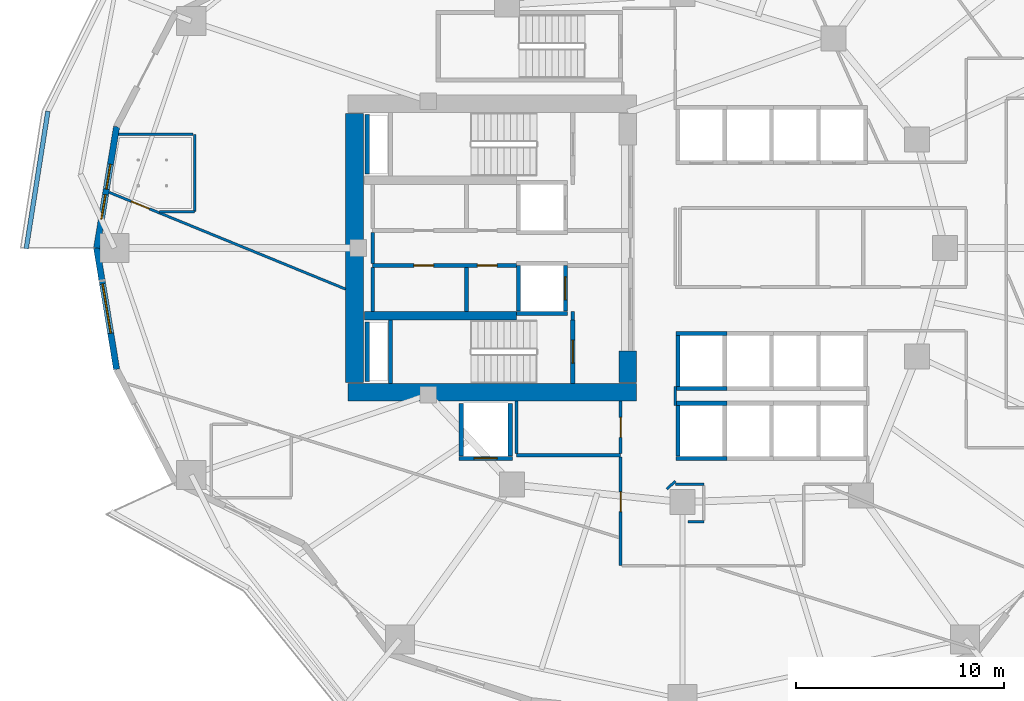
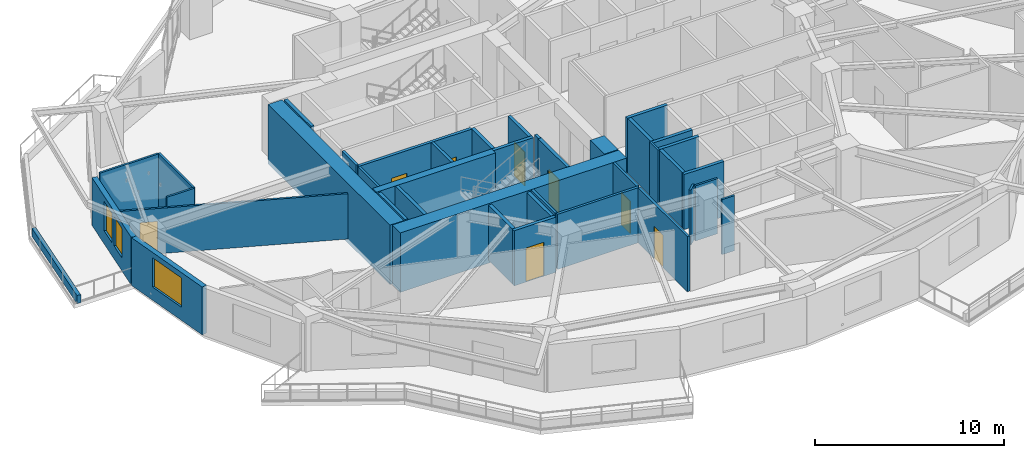
# One storey, part 5 of 18: 40 walls, 8 doors, 3 windows, 11 openings.
"""IFC4 building model written with IfcOpenShell, lengths in metres."""

from ifc_helpers import new_model, si_unit, direction, frame, frame_2d, origin, place, context, subcontext, project, spatial, rectangle, extrude, material, layer, layer_set, type_object, element, fill, save


model = new_model("IFC4")

# Units and contexts
model_context = context("Model", 3, precision=1e-05, world=origin(), true_north=direction((0.0, 1.0)))
body_context = subcontext(model_context, "Body", "Model", "MODEL_VIEW")
ifc_project = project(units=[si_unit("LENGTHUNIT", "METRE"), si_unit("AREAUNIT", "SQUARE_METRE"), si_unit("VOLUMEUNIT", "CUBIC_METRE"), si_unit("PLANEANGLEUNIT", "RADIAN"), si_unit("MASSUNIT", "GRAM", prefix="KILO")], contexts=[model_context])

# Site, building, storey
site_placement = place(None, origin())
site = spatial("IfcSite", under=ifc_project, at=site_placement, CompositionType="ELEMENT")
building_placement = place(site_placement, origin())
building = spatial("IfcBuilding", under=site, at=building_placement, Name="Kolvaren Gate Tower and Convention Centre", CompositionType="ELEMENT")
storey_placement = place(building_placement, frame((0.0, 0.0, 30.35009765625)))
storey = spatial("IfcBuildingStorey", under=building, at=storey_placement, Name="L06", CompositionType="ELEMENT", Elevation=30.35009765625)

# Wall
ifc_material_1 = material(Name="Autoclaved Aerated Masonry Blockwork Class 4 (4.0 MPa)", Category="masonry")
ifc_layer_1 = layer(ifc_material_1, 0.179931640625)
ifc_layer_set_1 = layer_set([ifc_layer_1], Name="Autoclaved Aerated Masonry Blockwork Class 4 (4.0 MPa)")
wall_type_1 = type_object("IfcWallType", Name="ARCH-WL-COMP-180", PredefinedType="SOLIDWALL", material=ifc_layer_set_1)
wall_1_placement = place(storey_placement, frame((24.85009765625, 23.5400390625, 0.0), z_axis=(0.0, 0.0, 1.0), x_axis=(0.0, 1.0, 0.0)))
element("IfcWall", 1, at=wall_1_placement, inside=storey, type_object=wall_type_1, Name="Interior Partition WL-L06-INT-001", PredefinedType="SOLIDWALL", context=body_context, shape_type="SweptSolid", body=[
    extrude(rectangle(XDim=0.419921875, YDim=0.179931640625, at=frame_2d((0.2099609375, 0.0))), origin(), (0.0, 0.0, 1.0), 3.56982421875),
])

# Wall, openings, doors
wall_2_placement = place(storey_placement, frame((15.25, 26.159912109375, 0.0), z_axis=(0.0, 0.0, 1.0), x_axis=(1.0, 0.0, 0.0)))
wall_2 = element("IfcWall", 2, at=wall_2_placement, inside=storey, type_object=wall_type_1, Name="Interior Partition WL-L06-INT-005", PredefinedType="SOLIDWALL", context=body_context, shape_type="SweptSolid", body=[
    extrude(rectangle(XDim=6.89990234375, YDim=0.179931640625, at=frame_2d((3.449951171875, 0.0))), origin(), (0.0, 0.0, 1.0), 3.56982421875),
])
opening_1_placement = place(wall_2_placement, frame((5.02001953125, 0.0, 0.0)))
opening_1 = element("IfcOpeningElement", 3, at=opening_1_placement, cuts=wall_2, Name="Opening DR-01", PredefinedType="OPENING", context=body_context, shape_type="SweptSolid", body=[
    extrude(rectangle(XDim=0.949951171875, YDim=2.10009765625, at=frame_2d((0.47509765625, 1.050048828125))), frame((0.0, 0.099853515625, 0.0), z_axis=(0.0, -1.0, 0.0), x_axis=(1.0, 0.0, 0.0)), (0.0, 0.0, 1.0), 0.199951171875),
])
opening_2_placement = place(wall_2_placement, frame((1.97998046875, 0.0, 0.0)))
opening_2 = element("IfcOpeningElement", 4, at=opening_2_placement, cuts=wall_2, Name="Opening DR-01", PredefinedType="OPENING", context=body_context, shape_type="SweptSolid", body=[
    extrude(rectangle(XDim=0.949951171875, YDim=2.10009765625, at=frame_2d((0.47509765625, 1.050048828125))), frame((0.0, 0.099853515625, 0.0), z_axis=(0.0, -1.0, 0.0), x_axis=(1.0, 0.0, 0.0)), (0.0, 0.0, 1.0), 0.199951171875),
])
ifc_material_2 = material(Name="Painted Architectural Steelwork ASTM A500 Grade C 345 MPa", Category="steel")
door_type_1 = type_object("IfcDoorType", Name="ARCH-DR-RISER-950", OperationType="SINGLE_SWING_RIGHT", PredefinedType="DOOR", material=ifc_material_2)
door_1_placement = place(opening_1_placement, origin())
door_1 = element("IfcDoor", 5, at=door_1_placement, inside=storey, type_object=door_type_1, Name="Domestic Water Meter Closet Door", OperationType="SINGLE_SWING_LEFT", OverallHeight=2.10009765625, OverallWidth=0.949951171875, PredefinedType="DOOR", context=body_context, shape_type="SweptSolid", body=[
    extrude(rectangle(XDim=0.949951171875, YDim=2.10009765625, at=frame_2d((0.47509765625, 1.050048828125))), frame((0.0, 0.02490234375, 0.0), z_axis=(0.0, -1.0, 0.0), x_axis=(1.0, 0.0, 0.0)), (0.0, 0.0, 1.0), 0.050048828125),
])
fill(opening_1, door_1)
door_2_placement = place(opening_2_placement, origin())
door_2 = element("IfcDoor", 6, at=door_2_placement, inside=storey, type_object=door_type_1, Name="Janitor Equipment Store Door", OperationType="SINGLE_SWING_LEFT", OverallHeight=2.10009765625, OverallWidth=0.949951171875, PredefinedType="DOOR", context=body_context, shape_type="SweptSolid", body=[
    extrude(rectangle(XDim=0.949951171875, YDim=2.10009765625, at=frame_2d((0.47509765625, 1.050048828125))), frame((0.0, 0.02490234375, 0.0), z_axis=(0.0, -1.0, 0.0), x_axis=(1.0, 0.0, 0.0)), (0.0, 0.0, 1.0), 0.050048828125),
])
fill(opening_2, door_2)

# Walls
wall_3_placement = place(storey_placement, frame((19.75, 23.9619140625, 0.0), z_axis=(0.0, 0.0, 1.0), x_axis=(0.0, 1.0, 0.0)))
element("IfcWall", 7, at=wall_3_placement, inside=storey, type_object=wall_type_1, Name="Interior Partition WL-L06-INT-007", PredefinedType="SOLIDWALL", context=body_context, shape_type="SweptSolid", body=[
    extrude(rectangle(XDim=2.106201171875, YDim=0.179931640625, at=frame_2d((1.05322265625, 0.0))), origin(), (0.0, 0.0, 1.0), 3.56982421875),
])
ifc_material_3 = material(Name="Fire-Rated Acoustic Gypsum Stud Partition", Category="gypsum")
ifc_layer_2 = layer(ifc_material_3, 0.1201171875)
ifc_layer_set_2 = layer_set([ifc_layer_2], Name="Fire-Rated Acoustic Gypsum Stud Partition")
wall_type_2 = type_object("IfcWallType", Name="ARCH-WL-PART-120", PredefinedType="PARTITIONING", material=ifc_layer_set_2)
wall_4_placement = place(storey_placement, frame((29.780029296875, 15.64990234375, 0.0), z_axis=(0.0, 0.0, 1.0), x_axis=(1.0, 0.0, 0.0)))
element("IfcWall", 8, at=wall_4_placement, inside=storey, type_object=wall_type_2, Name="Interior Partition WL-L06-INT-017", PredefinedType="PARTITIONING", context=body_context, shape_type="SweptSolid", body=[
    extrude(rectangle(XDim=1.369873046875, YDim=0.1201171875, at=frame_2d((0.68505859375, 0.0))), origin(), (0.0, 0.0, 1.0), 3.56982421875),
])
wall_5_placement = place(storey_placement, frame((29.780029296875, 19.43994140625, 0.0), z_axis=(0.0, 0.0, 1.0), x_axis=(0.0, 1.0, 0.0)))
element("IfcWall", 9, at=wall_5_placement, inside=storey, type_object=wall_type_2, Name="Interior Partition WL-L06-INT-023", PredefinedType="PARTITIONING", context=body_context, shape_type="SweptSolid", body=[
    extrude(rectangle(XDim=0.920166015625, YDim=0.1201171875, at=frame_2d((0.4599609375, 0.0))), origin(), (0.0, 0.0, 1.0), 3.56982421875),
])
wall_6_placement = place(storey_placement, frame((29.366943359375, 15.422119140625, 0.0), z_axis=(0.0, 0.0, 1.0), x_axis=(0.730667420492, 0.682733564893, 0.0)))
element("IfcWall", 10, at=wall_6_placement, inside=storey, type_object=wall_type_2, Name="Interior Partition WL-L06-INT-039", PredefinedType="PARTITIONING", context=body_context, shape_type="SweptSolid", body=[
    extrude(rectangle(XDim=0.5654296875, YDim=0.1201171875, at=frame_2d((0.28271484375, 0.0))), origin(), (0.0, 0.0, 1.0), 3.56982421875),
])
wall_7_placement = place(storey_placement, frame((30.39111328125, 13.85009765625, 0.0), z_axis=(0.0, 0.0, 1.0), x_axis=(1.0, 0.0, 0.0)))
element("IfcWall", 11, at=wall_7_placement, inside=storey, type_object=wall_type_2, Name="Interior Partition WL-L06-INT-040", PredefinedType="PARTITIONING", context=body_context, shape_type="SweptSolid", body=[
    extrude(rectangle(XDim=0.7587890625, YDim=0.1201171875, at=frame_2d((0.37939453125, 0.0))), origin(), (0.0, 0.0, 1.0), 3.56982421875),
])

# Wall, opening, door
wall_8_placement = place(storey_placement, frame((2.593994140625, 29.674072265625, 0.0), z_axis=(0.0, 0.0, 1.0), x_axis=(0.925471493768, -0.378817257029, 0.0)))
wall_8 = element("IfcWall", 12, at=wall_8_placement, inside=storey, type_object=wall_type_2, Name="Interior Partition WL-L06-INT-042", PredefinedType="PARTITIONING", context=body_context, shape_type="SweptSolid", body=[
    extrude(rectangle(XDim=12.268310546875, YDim=0.1201171875, at=frame_2d((6.13427734375, 0.0))), origin(), (0.0, 0.0, 1.0), 2.933837890625),
])
opening_3_placement = place(wall_8_placement, frame((1.146484375, 0.0, 0.0)))
opening_3 = element("IfcOpeningElement", 13, at=opening_3_placement, cuts=wall_8, Name="Opening DI-01", PredefinedType="OPENING", context=body_context, shape_type="SweptSolid", body=[
    extrude(rectangle(XDim=0.949951171875, YDim=2.10009765625, at=frame_2d((0.47509765625, 1.050048828125))), frame((0.0, 0.070068359375, 0.0), z_axis=(0.0, -1.0, 0.0), x_axis=(1.0, 0.0, 0.0)), (0.0, 0.0, 1.0), 0.14013671875),
])
ifc_material_4 = material(Name="FSC Andean Oak Engineered Veneer Door Leaf", Category="wood")
door_type_2 = type_object("IfcDoorType", Name="ARCH-DR-INT-950", OperationType="SINGLE_SWING_LEFT", PredefinedType="DOOR", material=ifc_material_4)
door_3_placement = place(opening_3_placement, origin())
door_3 = element("IfcDoor", 14, at=door_3_placement, inside=storey, type_object=door_type_2, Name="Cellular Office Door", OperationType="SINGLE_SWING_LEFT", OverallHeight=2.10009765625, OverallWidth=0.949951171875, PredefinedType="DOOR", context=body_context, shape_type="SweptSolid", body=[
    extrude(rectangle(XDim=0.949951171875, YDim=2.10009765625, at=frame_2d((0.47509765625, 1.050048828125))), frame((0.0, 0.02490234375, 0.0), z_axis=(0.0, -1.0, 0.0), x_axis=(1.0, 0.0, 0.0)), (0.0, 0.0, 1.0), 0.050048828125),
])
fill(opening_3, door_3)

# Walls
wall_9_placement = place(storey_placement, frame((5.017578125, 28.7490234375, 0.0), z_axis=(0.0, 0.0, 1.0), x_axis=(0.999999830744, 0.000581818083, 0.0)))
element("IfcWall", 15, at=wall_9_placement, inside=storey, type_object=wall_type_2, Name="Interior Partition WL-L06-INT-064", PredefinedType="PARTITIONING", context=body_context, shape_type="SweptSolid", body=[
    extrude(rectangle(XDim=1.678466796875, YDim=0.1201171875, at=frame_2d((0.83935546875, 0.0))), origin(), (0.0, 0.0, 1.0), 3.56982421875),
])
wall_10_placement = place(storey_placement, frame((6.696044921875, 28.75, 0.0), z_axis=(0.0, 0.0, 1.0), x_axis=(0.0, 1.0, 0.0)))
element("IfcWall", 16, at=wall_10_placement, inside=storey, type_object=wall_type_2, Name="Interior Partition WL-L06-INT-065", PredefinedType="PARTITIONING", context=body_context, shape_type="SweptSolid", body=[
    extrude(rectangle(XDim=3.699951171875, YDim=0.1201171875, at=frame_2d((1.85009765625, 0.0))), origin(), (0.0, 0.0, 1.0), 3.56982421875),
])
wall_11_placement = place(storey_placement, frame((3.05078125, 32.449951171875, 0.0), z_axis=(0.0, 0.0, 1.0), x_axis=(1.0, 0.0, 0.0)))
element("IfcWall", 17, at=wall_11_placement, inside=storey, type_object=wall_type_2, Name="Interior Partition WL-L06-INT-066", PredefinedType="PARTITIONING", context=body_context, shape_type="SweptSolid", body=[
    extrude(rectangle(XDim=3.583251953125, YDim=0.1201171875, at=frame_2d((1.79150390625, 0.0))), origin(), (0.0, 0.0, 1.0), 3.56982421875),
])
ifc_material_5 = material(Name="Piedmont Cream Honed Limestone Cladding", Category="masonry")
ifc_layer_3 = layer(ifc_material_5, 0.219970703125)
ifc_layer_set_3 = layer_set([ifc_layer_3], Name="Piedmont Cream Honed Limestone Cladding")
wall_type_3 = type_object("IfcWallType", Name="ARCH-WL-PLANTER-220", PredefinedType="PARAPET", material=ifc_layer_set_3)
wall_12_placement = place(storey_placement, frame((-1.381591796875, 26.970703125, 0.0), z_axis=(0.0, 0.0, 1.0), x_axis=(0.155842315528, 0.987781945923, 0.0)))
element("IfcWall", 18, at=wall_12_placement, inside=storey, type_object=wall_type_3, Name="Vertical-Forest Balcony Stone Planter Kerb PK-L06-2.3", PredefinedType="PARAPET", context=body_context, shape_type="SweptSolid", body=[
    extrude(rectangle(XDim=6.672119140625, YDim=0.219970703125, at=frame_2d((3.3359375, 0.0))), origin(), (0.0, 0.0, 1.0), 0.52001953125),
])
ifc_layer_4 = layer(ifc_material_1, 0.199951171875)
ifc_layer_set_4 = layer_set([ifc_layer_4], Name="Autoclaved Aerated Masonry Blockwork Class 4 (4.0 MPa)")
wall_type_4 = type_object("IfcWallType", Name="ARCH-WL-SHAFT-200", PredefinedType="SOLIDWALL", material=ifc_layer_set_4)
wall_13_placement = place(storey_placement, frame((22.14990234375, 23.860107421875, 0.0), z_axis=(0.0, 0.0, 1.0), x_axis=(1.0, 0.0, 0.0)))
element("IfcWall", 19, at=wall_13_placement, inside=storey, type_object=wall_type_4, Name="Elevator FF-02 L06 Fire Shaft Wall S", PredefinedType="SOLIDWALL", context=body_context, shape_type="SweptSolid", body=[
    extrude(rectangle(XDim=2.4501953125, YDim=0.199951171875, at=frame_2d((1.22509765625, 0.0))), origin(), (0.0, 0.0, 1.0), 3.56982421875),
])
wall_14_placement = place(storey_placement, frame((22.25, 23.969970703125, 0.0), z_axis=(0.0, 0.0, 1.0), x_axis=(0.0, 1.0, 0.0)))
element("IfcWall", 20, at=wall_14_placement, inside=storey, type_object=wall_type_4, Name="Elevator FF-02 L06 Fire Shaft Wall W", PredefinedType="SOLIDWALL", context=body_context, shape_type="SweptSolid", body=[
    extrude(rectangle(XDim=2.179931640625, YDim=0.199951171875, at=frame_2d((1.08984375, 0.0))), origin(), (0.0, 0.0, 1.0), 3.56982421875),
])

# Wall, opening, door
wall_15_placement = place(storey_placement, frame((24.5, 23.969970703125, 0.0), z_axis=(0.0, 0.0, 1.0), x_axis=(0.0, 1.0, 0.0)))
wall_15 = element("IfcWall", 21, at=wall_15_placement, inside=storey, type_object=wall_type_4, Name="Elevator FF-02 L06 Fire Shaft Wall E", PredefinedType="SOLIDWALL", context=body_context, shape_type="SweptSolid", body=[
    extrude(rectangle(XDim=2.179931640625, YDim=0.199951171875, at=frame_2d((1.08984375, 0.0))), origin(), (0.0, 0.0, 1.0), 3.56982421875),
])
opening_4_placement = place(wall_15_placement, frame((0.5400390625, 0.0, 0.0)))
opening_4 = element("IfcOpeningElement", 22, at=opening_4_placement, cuts=wall_15, Name="Opening LD", PredefinedType="OPENING", context=body_context, shape_type="SweptSolid", body=[
    extrude(rectangle(XDim=1.10009765625, YDim=2.199951171875, at=frame_2d((0.550048828125, 1.10009765625))), frame((0.0, 0.10986328125, 0.0), z_axis=(0.0, -1.0, 0.0), x_axis=(1.0, 0.0, 0.0)), (0.0, 0.0, 1.0), 0.219970703125),
])
ifc_material_6 = material(Name="Brushed Stainless Steel Grade 316L", Category="steel")
door_type_3 = type_object("IfcDoorType", Name="ARCH-DR-LIFT-1100", OperationType="SLIDING_TO_LEFT", PredefinedType="DOOR", material=ifc_material_6)
door_4_placement = place(opening_4_placement, origin())
door_4 = element("IfcDoor", 23, at=door_4_placement, inside=storey, type_object=door_type_3, Name="Elevator FF-02 L06 Sliding Landing Door", OperationType="SLIDING_TO_LEFT", OverallHeight=2.199951171875, OverallWidth=1.10009765625, PredefinedType="DOOR", context=body_context, shape_type="SweptSolid", body=[
    extrude(rectangle(XDim=1.10009765625, YDim=2.199951171875, at=frame_2d((0.550048828125, 1.10009765625))), frame((0.0, 0.02490234375, 0.0), z_axis=(0.0, -1.0, 0.0), x_axis=(1.0, 0.0, 0.0)), (0.0, 0.0, 1.0), 0.050048828125),
])
fill(opening_4, door_4)

wall_16_placement = place(storey_placement, frame((19.39990234375, 16.89990234375, 0.0), z_axis=(0.0, 0.0, 1.0), x_axis=(1.0, 0.0, 0.0)))
wall_16 = element("IfcWall", 24, at=wall_16_placement, inside=storey, type_object=wall_type_4, Name="Elevator SV-01 L06 Fire Shaft Wall S", PredefinedType="SOLIDWALL", context=body_context, shape_type="SweptSolid", body=[
    extrude(rectangle(XDim=2.550048828125, YDim=0.199951171875, at=frame_2d((1.27490234375, 0.0))), origin(), (0.0, 0.0, 1.0), 3.56982421875),
])
opening_5_placement = place(wall_16_placement, frame((0.72509765625, 0.0, 0.0)))
opening_5 = element("IfcOpeningElement", 25, at=opening_5_placement, cuts=wall_16, Name="Opening LD", PredefinedType="OPENING", context=body_context, shape_type="SweptSolid", body=[
    extrude(rectangle(XDim=1.10009765625, YDim=2.199951171875, at=frame_2d((0.550048828125, 1.10009765625))), frame((0.0, 0.10986328125, 0.0), z_axis=(0.0, -1.0, 0.0), x_axis=(1.0, 0.0, 0.0)), (0.0, 0.0, 1.0), 0.219970703125),
])
door_5_placement = place(opening_5_placement, origin())
door_5 = element("IfcDoor", 26, at=door_5_placement, inside=storey, type_object=door_type_3, Name="Elevator SV-01 L06 Sliding Landing Door", OperationType="SLIDING_TO_LEFT", OverallHeight=2.199951171875, OverallWidth=1.10009765625, PredefinedType="DOOR", context=body_context, shape_type="SweptSolid", body=[
    extrude(rectangle(XDim=1.10009765625, YDim=2.199951171875, at=frame_2d((0.550048828125, 1.10009765625))), frame((0.0, 0.02490234375, 0.0), z_axis=(0.0, -1.0, 0.0), x_axis=(1.0, 0.0, 0.0)), (0.0, 0.0, 1.0), 0.050048828125),
])
fill(opening_5, door_5)

# Walls
for number, where, z_axis, x_axis, name in (
    (27, (19.5, 17.010009765625, 0.0), (0.0, 0.0, 1.0), (0.0, 1.0, 0.0), "Elevator SV-01 L06 Fire Shaft Wall W"),
    (28, (21.85009765625, 17.010009765625, 0.0), (0.0, 0.0, 1.0), (0.0, 1.0, 0.0), "Elevator SV-01 L06 Fire Shaft Wall E"),
):
    element("IfcWall", number, at=place(storey_placement, frame(where, z_axis=z_axis, x_axis=x_axis)), inside=storey, type_object=wall_type_4, Name=name, PredefinedType="SOLIDWALL", context=body_context, shape_type="SweptSolid", body=[
        extrude(rectangle(XDim=2.530029296875, YDim=0.199951171875, at=frame_2d((1.26513671875, 0.0))), origin(), (0.0, 0.0, 1.0), 3.56982421875),
    ])
for number, where, z_axis, x_axis, name in (
    (29, (29.800048828125, 19.550048828125, 0.0), (0.0, 0.0, 1.0), (1.0, 0.0, 0.0), "Elevator PL-05 L06 Fire Shaft Wall N"),
    (30, (29.800048828125, 16.89990234375, 0.0), (0.0, 0.0, 1.0), (1.0, 0.0, 0.0), "Elevator PL-05 L06 Fire Shaft Wall S"),
):
    element("IfcWall", number, at=place(storey_placement, frame(where, z_axis=z_axis, x_axis=x_axis)), inside=storey, type_object=wall_type_4, Name=name, PredefinedType="SOLIDWALL", context=body_context, shape_type="SweptSolid", body=[
        extrude(rectangle(XDim=2.449951171875, YDim=0.199951171875, at=frame_2d((1.22509765625, 0.0))), origin(), (0.0, 0.0, 1.0), 3.56982421875),
    ])
wall_17_placement = place(storey_placement, frame((29.89990234375, 17.010009765625, 0.0), z_axis=(0.0, 0.0, 1.0), x_axis=(0.0, 1.0, 0.0)))
element("IfcWall", 31, at=wall_17_placement, inside=storey, type_object=wall_type_4, Name="Elevator PL-05 L06 Fire Shaft Wall W", PredefinedType="SOLIDWALL", context=body_context, shape_type="SweptSolid", body=[
    extrude(rectangle(XDim=2.429931640625, YDim=0.199951171875, at=frame_2d((1.21484375, 0.0))), origin(), (0.0, 0.0, 1.0), 3.56982421875),
])
for number, where, z_axis, x_axis, name in (
    (32, (29.800048828125, 22.89990234375, 0.0), (0.0, 0.0, 1.0), (1.0, 0.0, 0.0), "Elevator PL-09 L06 Fire Shaft Wall N"),
    (33, (29.800048828125, 20.25, 0.0), (0.0, 0.0, 1.0), (1.0, 0.0, 0.0), "Elevator PL-09 L06 Fire Shaft Wall S"),
):
    element("IfcWall", number, at=place(storey_placement, frame(where, z_axis=z_axis, x_axis=x_axis)), inside=storey, type_object=wall_type_4, Name=name, PredefinedType="SOLIDWALL", context=body_context, shape_type="SweptSolid", body=[
        extrude(rectangle(XDim=2.449951171875, YDim=0.199951171875, at=frame_2d((1.22509765625, 0.0))), origin(), (0.0, 0.0, 1.0), 3.56982421875),
    ])
wall_18_placement = place(storey_placement, frame((29.89990234375, 20.360107421875, 0.0), z_axis=(0.0, 0.0, 1.0), x_axis=(0.0, 1.0, 0.0)))
element("IfcWall", 34, at=wall_18_placement, inside=storey, type_object=wall_type_4, Name="Elevator PL-09 L06 Fire Shaft Wall W", PredefinedType="SOLIDWALL", context=body_context, shape_type="SweptSolid", body=[
    extrude(rectangle(XDim=2.429931640625, YDim=0.199951171875, at=frame_2d((1.21484375, 0.0))), origin(), (0.0, 0.0, 1.0), 3.56982421875),
])
for number, where, z_axis, x_axis, name in (
    (35, (14.989990234375, 30.550048828125, 0.0), (0.0, 0.0, 1.0), (0.0, 1.0, 0.0), "Vertical Shaft HVR L06 EI-120 Enclosure Wall W"),
    (36, (14.989990234375, 20.60009765625, 0.0), (0.0, 0.0, 1.0), (0.0, 1.0, 0.0), "Vertical Shaft MPR L06 EI-120 Enclosure Wall W"),
):
    element("IfcWall", number, at=place(storey_placement, frame(where, z_axis=z_axis, x_axis=x_axis)), inside=storey, type_object=wall_type_4, Name=name, PredefinedType="SOLIDWALL", context=body_context, shape_type="SweptSolid", body=[
        extrude(rectangle(XDim=2.849853515625, YDim=0.199951171875, at=frame_2d((1.4248046875, 0.0))), origin(), (0.0, 0.0, 1.0), 3.56982421875),
    ])

# Wall, openings, windows
ifc_layer_5 = layer(ifc_material_5, 0.300048828125)
ifc_layer_set_5 = layer_set([ifc_layer_5], Name="Piedmont Cream Honed Limestone Cladding")
wall_type_5 = type_object("IfcWallType", Name="ARCH-WL-STONE-300", PredefinedType="SOLIDWALL", material=ifc_layer_set_5)
wall_19_placement = place(storey_placement, frame((2.0, 27.0, 0.0), z_axis=(0.0, 0.0, 1.0), x_axis=(0.162366057843, 0.98673059305, 0.0)))
wall_19 = element("IfcWall", 37, at=wall_19_placement, inside=storey, type_object=wall_type_5, Name="Tower L06 Honed Stone Spandrel Wall EW-11", PredefinedType="SOLIDWALL", context=body_context, shape_type="SweptSolid", body=[
    extrude(rectangle(XDim=5.90185546875, YDim=0.300048828125, at=frame_2d((2.950927734375, 0.0))), origin(), (0.0, 0.0, 1.0), 3.093017578125),
])
opening_6_placement = place(wall_19_placement, frame((1.390625, 0.0, 0.85009765625)))
opening_6 = element("IfcOpeningElement", 38, at=opening_6_placement, cuts=wall_19, Name="Opening W-04", PredefinedType="OPENING", context=body_context, shape_type="SweptSolid", body=[
    extrude(rectangle(XDim=1.199951171875, YDim=1.89990234375, at=frame_2d((0.60009765625, 0.949951171875))), frame((0.0, 0.159912109375, 0.0), z_axis=(0.0, -1.0, 0.0), x_axis=(1.0, 0.0, 0.0)), (0.0, 0.0, 1.0), 0.320068359375),
])
opening_7_placement = place(wall_19_placement, frame((2.864990234375, 0.0, 0.85009765625)))
opening_7 = element("IfcOpeningElement", 39, at=opening_7_placement, cuts=wall_19, Name="Opening W-04", PredefinedType="OPENING", context=body_context, shape_type="SweptSolid", body=[
    extrude(rectangle(XDim=1.199951171875, YDim=1.89990234375, at=frame_2d((0.60009765625, 0.949951171875))), frame((0.0, 0.159912109375, 0.0), z_axis=(0.0, -1.0, 0.0), x_axis=(1.0, 0.0, 0.0)), (0.0, 0.0, 1.0), 0.320068359375),
])
ifc_material_7 = material(Name="Low-E Triple Insulated Glazing Unit 44 mm", Category="glass")
window_type_1 = type_object("IfcWindowType", Name="ARCH-WN-NARROW-1200", PartitioningType="SINGLE_PANEL", PredefinedType="WINDOW", material=ifc_material_7)
window_1_placement = place(opening_6_placement, origin())
window_1 = element("IfcWindow", 40, at=window_1_placement, inside=storey, type_object=window_type_1, Name="Tower L06 Punched Stone Facade Window W-11", OverallHeight=1.89990234375, OverallWidth=1.199951171875, PartitioningType="SINGLE_PANEL", PredefinedType="WINDOW", context=body_context, shape_type="SweptSolid", body=[
    extrude(rectangle(XDim=1.199951171875, YDim=1.89990234375, at=frame_2d((0.60009765625, 0.949951171875))), frame((0.0, 0.030029296875, 0.0), z_axis=(0.0, -1.0, 0.0), x_axis=(1.0, 0.0, 0.0)), (0.0, 0.0, 1.0), 0.06005859375),
])
fill(opening_6, window_1)
window_2_placement = place(opening_7_placement, origin())
window_2 = element("IfcWindow", 41, at=window_2_placement, inside=storey, type_object=window_type_1, Name="Tower L06 Punched Stone Facade Window W-11B", OverallHeight=1.89990234375, OverallWidth=1.199951171875, PartitioningType="SINGLE_PANEL", PredefinedType="WINDOW", context=body_context, shape_type="SweptSolid", body=[
    extrude(rectangle(XDim=1.199951171875, YDim=1.89990234375, at=frame_2d((0.60009765625, 0.949951171875))), frame((0.0, 0.030029296875, 0.0), z_axis=(0.0, -1.0, 0.0), x_axis=(1.0, 0.0, 0.0)), (0.0, 0.0, 1.0), 0.06005859375),
])
fill(opening_7, window_2)

# Wall, opening, window
wall_20_placement = place(storey_placement, frame((2.0, 27.0, 0.0), z_axis=(0.0, 0.0, 1.0), x_axis=(0.162366057843, -0.98673059305, 0.0)))
wall_20 = element("IfcWall", 42, at=wall_20_placement, inside=storey, type_object=wall_type_5, Name="Tower L06 Honed Stone Spandrel Wall EW-12", PredefinedType="SOLIDWALL", context=body_context, shape_type="SweptSolid", body=[
    extrude(rectangle(XDim=5.90185546875, YDim=0.300048828125, at=frame_2d((2.950927734375, 0.0))), origin(), (0.0, 0.0, 1.0), 3.093017578125),
])
opening_8_placement = place(wall_20_placement, frame((1.7509765625, 0.0, 0.85009765625)))
opening_8 = element("IfcOpeningElement", 43, at=opening_8_placement, cuts=wall_20, Name="Opening W-01", PredefinedType="OPENING", context=body_context, shape_type="SweptSolid", body=[
    extrude(rectangle(XDim=2.39990234375, YDim=1.89990234375, at=frame_2d((1.199951171875, 0.949951171875))), frame((0.0, 0.159912109375, 0.0), z_axis=(0.0, -1.0, 0.0), x_axis=(1.0, 0.0, 0.0)), (0.0, 0.0, 1.0), 0.320068359375),
])
window_type_2 = type_object("IfcWindowType", Name="ARCH-WN-OFF-2400", PartitioningType="SINGLE_PANEL", PredefinedType="WINDOW", material=ifc_material_7)
window_3_placement = place(opening_8_placement, origin())
window_3 = element("IfcWindow", 44, at=window_3_placement, inside=storey, type_object=window_type_2, Name="Tower L06 Punched Stone Facade Window W-12", OverallHeight=1.89990234375, OverallWidth=2.39990234375, PartitioningType="SINGLE_PANEL", PredefinedType="WINDOW", context=body_context, shape_type="SweptSolid", body=[
    extrude(rectangle(XDim=2.39990234375, YDim=1.89990234375, at=frame_2d((1.199951171875, 0.949951171875))), frame((0.0, 0.030029296875, 0.0), z_axis=(0.0, -1.0, 0.0), x_axis=(1.0, 0.0, 0.0)), (0.0, 0.0, 1.0), 0.06005859375),
])
fill(opening_8, window_3)

# Walls
ifc_material_8 = material(Name="Moisture-Resistant Cement-Board Acoustic Partition", Category="gypsum")
ifc_layer_6 = layer(ifc_material_8, 0.14990234375)
ifc_layer_set_6 = layer_set([ifc_layer_6], Name="Moisture-Resistant Cement-Board Acoustic Partition")
wall_type_6 = type_object("IfcWallType", Name="ARCH-WL-WET-150", PredefinedType="PARTITIONING", material=ifc_layer_set_6)
wall_21_placement = place(storey_placement, frame((15.25, 23.9619140625, 0.0), z_axis=(0.0, 0.0, 1.0), x_axis=(0.0, 1.0, 0.0)))
element("IfcWall", 45, at=wall_21_placement, inside=storey, type_object=wall_type_6, Name="Interior Partition WL-L06-INT-006", PredefinedType="PARTITIONING", context=body_context, shape_type="SweptSolid", body=[
    extrude(rectangle(XDim=2.106201171875, YDim=0.14990234375, at=frame_2d((1.05322265625, 0.0))), origin(), (0.0, 0.0, 1.0), 3.56982421875),
])
wall_22_placement = place(storey_placement, frame((15.25, 26.251953125, 0.0), z_axis=(0.0, 0.0, 1.0), x_axis=(0.0, 1.0, 0.0)))
element("IfcWall", 46, at=wall_22_placement, inside=storey, type_object=wall_type_6, Name="Interior Partition WL-L06-INT-006 (2)", PredefinedType="PARTITIONING", context=body_context, shape_type="SweptSolid", body=[
    extrude(rectangle(XDim=1.49609375, YDim=0.14990234375, at=frame_2d((0.748046875, 0.0))), origin(), (0.0, 0.0, 1.0), 3.56982421875),
])
wall_23_placement = place(storey_placement, frame((22.14990234375, 17.050048828125, 0.0), z_axis=(0.0, 0.0, 1.0), x_axis=(1.0, 0.0, 0.0)))
element("IfcWall", 47, at=wall_23_placement, inside=storey, type_object=wall_type_6, Name="Interior Partition WL-L06-INT-009", PredefinedType="PARTITIONING", context=body_context, shape_type="SweptSolid", body=[
    extrude(rectangle(XDim=5.0, YDim=0.14990234375, at=frame_2d((2.5, 0.0))), origin(), (0.0, 0.0, 1.0), 3.56982421875),
])
wall_24_placement = place(storey_placement, frame((22.14990234375, 17.126953125, 0.0), z_axis=(0.0, 0.0, 1.0), x_axis=(0.0, 1.0, 0.0)))
element("IfcWall", 48, at=wall_24_placement, inside=storey, type_object=wall_type_6, Name="Interior Partition WL-L06-INT-010", PredefinedType="PARTITIONING", context=body_context, shape_type="SweptSolid", body=[
    extrude(rectangle(XDim=2.52099609375, YDim=0.14990234375, at=frame_2d((1.260498046875, 0.0))), origin(), (0.0, 0.0, 1.0), 3.56982421875),
])

# Wall, opening, door
wall_25_placement = place(storey_placement, frame((27.14990234375, 11.75, 0.0), z_axis=(0.0, 0.0, 1.0), x_axis=(0.0, 1.0, 0.0)))
wall_25 = element("IfcWall", 49, at=wall_25_placement, inside=storey, type_object=wall_type_6, Name="Interior Partition WL-L06-INT-011", PredefinedType="PARTITIONING", context=body_context, shape_type="SweptSolid", body=[
    extrude(rectangle(XDim=5.222900390625, YDim=0.14990234375, at=frame_2d((2.611328125, 0.0))), origin(), (0.0, 0.0, 1.0), 3.56982421875),
])
opening_9_placement = place(wall_25_placement, frame((2.58837890625, 0.0, 0.0)))
opening_9 = element("IfcOpeningElement", 50, at=opening_9_placement, cuts=wall_25, Name="Opening DR-01", PredefinedType="OPENING", context=body_context, shape_type="SweptSolid", body=[
    extrude(rectangle(XDim=0.949951171875, YDim=2.10009765625, at=frame_2d((0.47509765625, 1.050048828125))), frame((0.0, 0.0849609375, 0.0), z_axis=(0.0, -1.0, 0.0), x_axis=(1.0, 0.0, 0.0)), (0.0, 0.0, 1.0), 0.169921875),
])
door_6_placement = place(opening_9_placement, origin())
door_6 = element("IfcDoor", 51, at=door_6_placement, inside=storey, type_object=door_type_1, Name="Open-Plan Office Suite Door", OperationType="SINGLE_SWING_LEFT", OverallHeight=2.10009765625, OverallWidth=0.949951171875, PredefinedType="DOOR", context=body_context, shape_type="SweptSolid", body=[
    extrude(rectangle(XDim=0.949951171875, YDim=2.10009765625, at=frame_2d((0.47509765625, 1.050048828125))), frame((0.0, 0.02490234375, 0.0), z_axis=(0.0, -1.0, 0.0), x_axis=(1.0, 0.0, 0.0)), (0.0, 0.0, 1.0), 0.050048828125),
])
fill(opening_9, door_6)

wall_26_placement = place(storey_placement, frame((27.14990234375, 17.126953125, 0.0), z_axis=(0.0, 0.0, 1.0), x_axis=(0.0, 1.0, 0.0)))
wall_26 = element("IfcWall", 52, at=wall_26_placement, inside=storey, type_object=wall_type_6, Name="Interior Partition WL-L06-INT-011 (2)", PredefinedType="PARTITIONING", context=body_context, shape_type="SweptSolid", body=[
    extrude(rectangle(XDim=2.52099609375, YDim=0.14990234375, at=frame_2d((1.260498046875, 0.0))), origin(), (0.0, 0.0, 1.0), 3.56982421875),
])
opening_10_placement = place(wall_26_placement, frame((0.785400390625, 0.0, 0.0)))
opening_10 = element("IfcOpeningElement", 53, at=opening_10_placement, cuts=wall_26, Name="Opening DR-01", PredefinedType="OPENING", context=body_context, shape_type="SweptSolid", body=[
    extrude(rectangle(XDim=0.949951171875, YDim=2.10009765625, at=frame_2d((0.47509765625, 1.050048828125))), frame((0.0, 0.0849609375, 0.0), z_axis=(0.0, -1.0, 0.0), x_axis=(1.0, 0.0, 0.0)), (0.0, 0.0, 1.0), 0.169921875),
])
door_7_placement = place(opening_10_placement, origin())
door_7 = element("IfcDoor", 54, at=door_7_placement, inside=storey, type_object=door_type_1, Name="West Linen and Supply Store Door", OperationType="SINGLE_SWING_RIGHT", OverallHeight=2.10009765625, OverallWidth=0.949951171875, PredefinedType="DOOR", context=body_context, shape_type="SweptSolid", body=[
    extrude(rectangle(XDim=0.949951171875, YDim=2.10009765625, at=frame_2d((0.47509765625, 1.050048828125))), frame((0.0, 0.02490234375, 0.0), z_axis=(0.0, -1.0, 0.0), x_axis=(1.0, 0.0, 0.0)), (0.0, 0.0, 1.0), 0.050048828125),
])
fill(opening_10, door_7)

# Walls
ifc_material_9 = material(Name="Concrete C50/60", Category="concrete")
ifc_layer_7 = layer(ifc_material_9, 0.419921875)
ifc_layer_set_7 = layer_set([ifc_layer_7], Name="Concrete C50/60")
wall_type_7 = type_object("IfcWallType", Name="STR-WL-CONV-420", PredefinedType="SHEAR", material=ifc_layer_set_7)
wall_27_placement = place(storey_placement, frame((14.85009765625, 23.75, -0.280029296875), z_axis=(0.0, 0.0, 1.0), x_axis=(1.0, 0.0, 0.0)))
element("IfcWall", 55, at=wall_27_placement, inside=storey, type_object=wall_type_7, Name="Tower L06 Offset Core Shear Wall WS", PredefinedType="SHEAR", context=body_context, shape_type="SweptSolid", body=[
    extrude(rectangle(XDim=7.2998046875, YDim=0.419921875, at=frame_2d((3.64990234375, 0.0))), origin(), (0.0, 0.0, 1.0), 3.849853515625),
])
ifc_material_10 = material(Name="Concrete C70/85", Category="concrete")
ifc_layer_8 = layer(ifc_material_10, 0.85009765625)
ifc_layer_set_8 = layer_set([ifc_layer_8], Name="Concrete C70/85")
wall_type_8 = type_object("IfcWallType", Name="STR-WL-CORE-850", PredefinedType="SHEAR", material=ifc_layer_set_8)
wall_28_placement = place(storey_placement, frame((14.074951171875, 20.074951171875, -0.280029296875), z_axis=(0.0, 0.0, 1.0), x_axis=(1.0, 0.0, 0.0)))
element("IfcWall", 56, at=wall_28_placement, inside=storey, type_object=wall_type_8, Name="Tower L06 Offset Core Shear Wall S", PredefinedType="SHEAR", context=body_context, shape_type="SweptSolid", body=[
    extrude(rectangle(XDim=13.85009765625, YDim=0.85009765625, at=frame_2d((6.925048828125, 0.0))), origin(), (0.0, 0.0, 1.0), 3.849853515625),
])
wall_29_placement = place(storey_placement, frame((14.375, 20.550048828125, -0.280029296875), z_axis=(0.0, 0.0, 1.0), x_axis=(0.0, 1.0, 0.0)))
element("IfcWall", 57, at=wall_29_placement, inside=storey, type_object=wall_type_8, Name="Tower L06 Offset Core Shear Wall W", PredefinedType="SHEAR", context=body_context, shape_type="SweptSolid", body=[
    extrude(rectangle(XDim=12.89990234375, YDim=0.85009765625, at=frame_2d((6.449951171875, 0.0))), origin(), (0.0, 0.0, 1.0), 3.849853515625),
])
wall_30_placement = place(storey_placement, frame((27.5, 20.550048828125, -0.280029296875), z_axis=(0.0, 0.0, 1.0), x_axis=(0.0, 1.0, 0.0)))
element("IfcWall", 58, at=wall_30_placement, inside=storey, type_object=wall_type_8, Name="Tower L06 Offset Core Shear Wall ES", PredefinedType="SHEAR", context=body_context, shape_type="SweptSolid", body=[
    extrude(rectangle(XDim=1.5, YDim=0.85009765625, at=frame_2d((0.75, 0.0))), origin(), (0.0, 0.0, 1.0), 3.849853515625),
])

# Wall, opening, door
ifc_layer_9 = layer(ifc_material_9, 0.199951171875)
ifc_layer_set_9 = layer_set([ifc_layer_9], Name="Concrete C50/60")
wall_type_9 = type_object("IfcWallType", Name="STR-WL-SHAFT-200", PredefinedType="SHEAR", material=ifc_layer_set_9)
wall_31_placement = place(storey_placement, frame((24.85009765625, 20.501953125, -0.280029296875), z_axis=(0.0, 0.0, 1.0), x_axis=(0.0, 1.0, 0.0)))
wall_31 = element("IfcWall", 59, at=wall_31_placement, inside=storey, type_object=wall_type_9, Name="Tower South Exit Stair ST-T2 L06 Structural Shear Enclosure Wall NEAR", PredefinedType="SHEAR", context=body_context, shape_type="SweptSolid", body=[
    extrude(rectangle(XDim=3.0380859375, YDim=0.199951171875, at=frame_2d((1.51904296875, 0.0))), origin(), (0.0, 0.0, 1.0), 3.849853515625),
])
opening_11_placement = place(wall_31_placement, frame((0.968994140625, 0.0, 0.280029296875)))
opening_11 = element("IfcOpeningElement", 60, at=opening_11_placement, cuts=wall_31, Name="Opening DS-01", PredefinedType="OPENING", context=body_context, shape_type="SweptSolid", body=[
    extrude(rectangle(XDim=1.10009765625, YDim=2.14990234375, at=frame_2d((0.550048828125, 1.074951171875))), frame((0.0, 0.10986328125, 0.0), z_axis=(0.0, -1.0, 0.0), x_axis=(1.0, 0.0, 0.0)), (0.0, 0.0, 1.0), 0.219970703125),
])
door_type_4 = type_object("IfcDoorType", Name="ARCH-DR-STAIR-1100", OperationType="SINGLE_SWING_LEFT", PredefinedType="DOOR", material=ifc_material_2)
door_8_placement = place(opening_11_placement, origin())
door_8 = element("IfcDoor", 61, at=door_8_placement, inside=storey, type_object=door_type_4, Name="Tower South Exit Stair ST-T2 L06 Fire Exit Stair Door", OperationType="SINGLE_SWING_RIGHT", OverallHeight=2.14990234375, OverallWidth=1.10009765625, PredefinedType="DOOR", context=body_context, shape_type="SweptSolid", body=[
    extrude(rectangle(XDim=1.10009765625, YDim=2.14990234375, at=frame_2d((0.550048828125, 1.074951171875))), frame((0.0, 0.02490234375, 0.0), z_axis=(0.0, -1.0, 0.0), x_axis=(1.0, 0.0, 0.0)), (0.0, 0.0, 1.0), 0.050048828125),
])
fill(opening_11, door_8)

# Wall
wall_32_placement = place(storey_placement, frame((16.10009765625, 20.501953125, -0.280029296875), z_axis=(0.0, 0.0, 1.0), x_axis=(0.0, 1.0, 0.0)))
element("IfcWall", 62, at=wall_32_placement, inside=storey, type_object=wall_type_9, Name="Tower South Exit Stair ST-T2 L06 Structural Shear Enclosure Wall FAR", PredefinedType="SHEAR", context=body_context, shape_type="SweptSolid", body=[
    extrude(rectangle(XDim=3.0361328125, YDim=0.199951171875, at=frame_2d((1.51806640625, 0.0))), origin(), (0.0, 0.0, 1.0), 3.849853515625),
])

save(model, "model.ifc")
